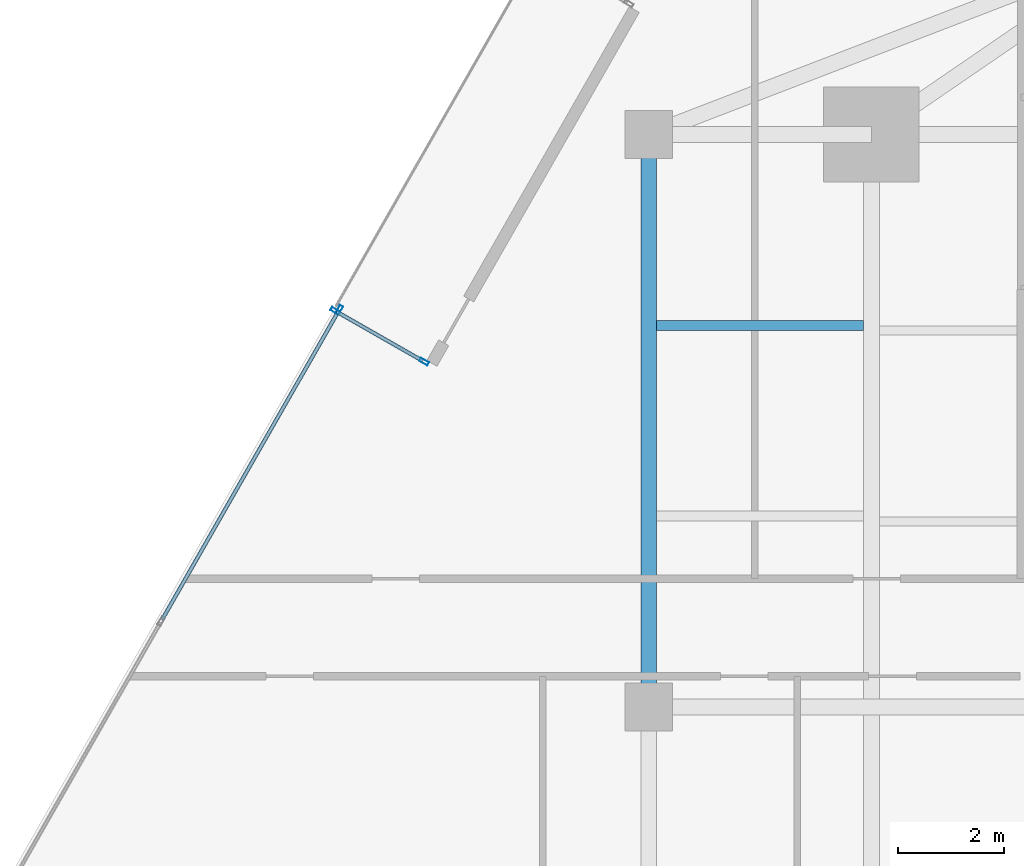
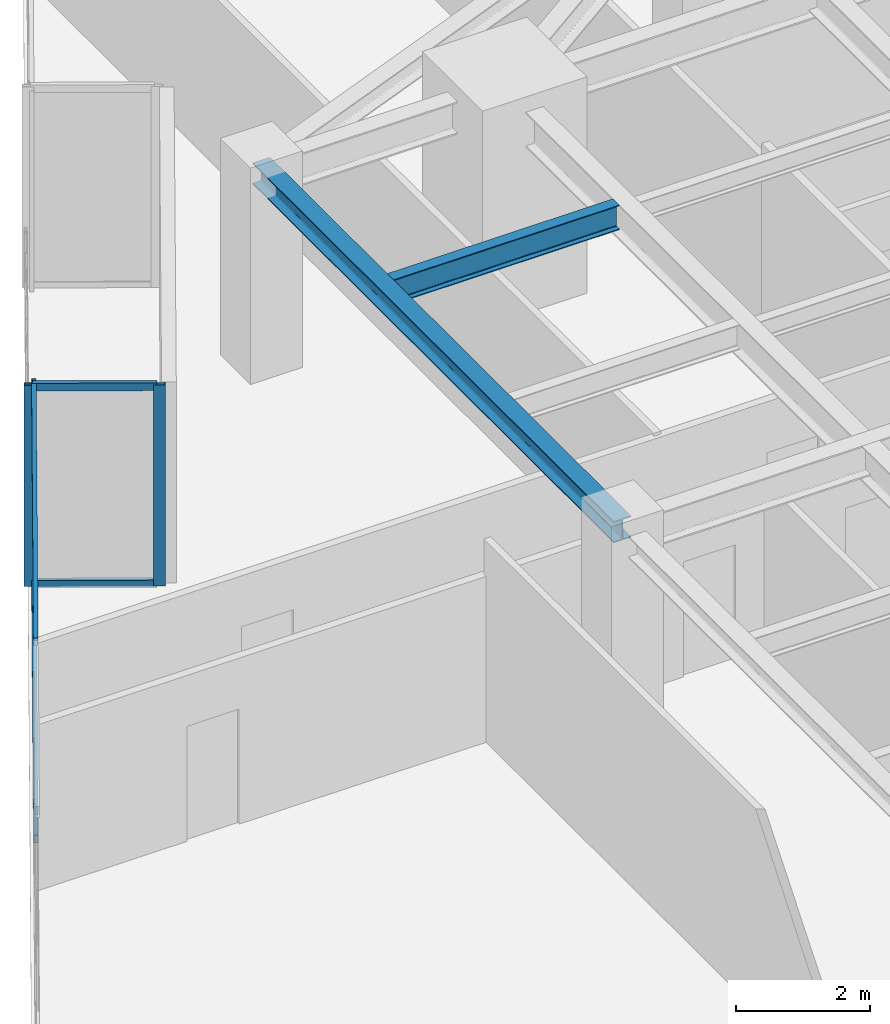
# One storey, part 12 of 24: 7 members, 2 beams, 2 elements without a shape of their own.
"""IFC4 building model written with IfcOpenShell, lengths in metres."""

from ifc_helpers import new_model, si_unit, direction, frame, origin, origin_2d, place, context, subcontext, project, spatial, hollow_rectangle, i_section, extrude, source, transform, mapped, material, material_profile, profile_set, type_object, type_shapes, element, aggregate, save


model = new_model("IFC4")

# Units and contexts
model_context = context("Model", 3, precision=1e-05, world=origin(), true_north=direction((0.0, 1.0)))
body_context = subcontext(model_context, "Body", "Model", "MODEL_VIEW")
ifc_project = project(units=[si_unit("LENGTHUNIT", "METRE"), si_unit("AREAUNIT", "SQUARE_METRE"), si_unit("VOLUMEUNIT", "CUBIC_METRE"), si_unit("PLANEANGLEUNIT", "RADIAN"), si_unit("MASSUNIT", "GRAM", prefix="KILO")], contexts=[model_context])

# Site, building, storey
site_placement = place(None, origin())
site = spatial("IfcSite", under=ifc_project, at=site_placement, CompositionType="ELEMENT")
building_placement = place(site_placement, origin())
building = spatial("IfcBuilding", under=site, at=building_placement, Name="Krantzveldt Concourse Tower", CompositionType="ELEMENT")
storey_placement = place(building_placement, frame((0.0, 0.0, 169.89990234375)))
storey = spatial("IfcBuildingStorey", under=building, at=storey_placement, Name="L41", CompositionType="ELEMENT", Elevation=169.89990234375)

# Beams
ifc_material_1 = material(Name="Steel S355JR", Category="steel")
ifc_material_profile_1 = material_profile(ifc_material_1, i_section(OverallWidth=0.300048828125, OverallDepth=0.389892578125, WebThickness=0.010986328125, FlangeThickness=0.01904296875, FilletRadius=0.027099609375, at=origin_2d()), Name="Steel S355JR", Category="steel")
ifc_profile_set_1 = profile_set([ifc_material_profile_1], Name="Steel S355JR - HEA 400")
beam_type_1 = type_object("IfcBeamType", Name="BM-SP-HEA400", PredefinedType="SPANDREL", material=ifc_profile_set_1)
shared_shape_1 = source(origin(), body_context, "Body", "SweptSolid", [
    extrude(i_section(OverallWidth=0.300048828125, OverallDepth=0.389892578125, WebThickness=0.010986328125, FlangeThickness=0.01904296875, FilletRadius=0.027099609375, at=origin_2d()), origin(), (0.0, 0.0, 1.0), 10.800048828125),
])
type_shapes(beam_type_1, [shared_shape_1])
beam_1_placement = place(storey_placement, frame((21.0, 26.699951171875, 3.47509765625), z_axis=(0.0, 1.0, 0.0), x_axis=(-1.0, 0.0, 0.0)))
element("IfcBeam", 1, at=beam_1_placement, inside=storey, type_object=beam_type_1, Name="L41 Tower Girder SP-R02", PredefinedType="SPANDREL", context=body_context, shape_type="MappedRepresentation", body=[
    mapped(shared_shape_1, transform((0.0, 0.0, 0.0), x_axis=(1.0, 0.0, 0.0), y_axis=(0.0, 1.0, 0.0), z_axis=(0.0, 0.0, 1.0), scale=1.0)),
])
ifc_material_profile_2 = material_profile(ifc_material_1, i_section(OverallWidth=0.18994140625, OverallDepth=0.449951171875, WebThickness=0.009521484375, FlangeThickness=0.0146484375, FilletRadius=0.02099609375, at=origin_2d()), Name="Steel S355JR", Category="steel")
ifc_profile_set_2 = profile_set([ifc_material_profile_2], Name="Steel S355JR - IPE 450")
beam_type_2 = type_object("IfcBeamType", Name="BM-J-IPE450", PredefinedType="JOIST", material=ifc_profile_set_2)
shared_shape_2 = source(origin(), body_context, "Body", "SweptSolid", [
    extrude(i_section(OverallWidth=0.18994140625, OverallDepth=0.449951171875, WebThickness=0.009521484375, FlangeThickness=0.0146484375, FilletRadius=0.02099609375, at=origin_2d()), origin(), (0.0, 0.0, 1.0), 3.900146484375),
])
type_shapes(beam_type_2, [shared_shape_2])
beam_2_placement = place(storey_placement, frame((21.14990234375, 33.89990234375, 3.445068359375), z_axis=(1.0, 0.0, 0.0), x_axis=(0.0, 1.0, 0.0)))
element("IfcBeam", 2, at=beam_2_placement, inside=storey, type_object=beam_type_2, Name="L41 Secondary Floor Joist JW-4", PredefinedType="JOIST", context=body_context, shape_type="MappedRepresentation", body=[
    mapped(shared_shape_2, transform((0.0, 0.0, 0.0), x_axis=(1.0, 0.0, 0.0), y_axis=(0.0, 1.0, 0.0), z_axis=(0.0, 0.0, 1.0), scale=1.0)),
])

# Curtain wall, members
ifc_material_2 = material(Name="Anodised aluminium 6063-T6", Category="aluminium")
curtain_wall_type_1 = type_object("IfcCurtainWallType", Name="CW6", PredefinedType="USERDEFINED", material=ifc_material_2)
curtain_wall_1_placement = place(storey_placement, origin())
curtain_wall_1 = element("IfcCurtainWall", 3, at=curtain_wall_1_placement, inside=storey, type_object=curtain_wall_type_1, Name="CW-L41-TR04", ObjectType="UNITISED CURTAIN WALL", PredefinedType="USERDEFINED")
ifc_material_profile_3 = material_profile(ifc_material_2, hollow_rectangle(XDim=0.070068359375, YDim=0.179931640625, WallThickness=0.0048828125, at=origin_2d()), Name="Anodised aluminium 6063-T6", Category="aluminium")
ifc_profile_set_3 = profile_set([ifc_material_profile_3], Name="Anodised aluminium 6063-T6 - ALU-MULL 180x70x5")
member_type_1 = type_object("IfcMemberType", Name="CW-MUL-180", PredefinedType="MULLION", material=ifc_profile_set_3)
shared_shape_3 = source(origin(), body_context, "Body", "SweptSolid", [
    extrude(hollow_rectangle(XDim=0.070068359375, YDim=0.179931640625, WallThickness=0.0048828125, at=origin_2d()), origin(), (0.0, 0.0, 1.0), 3.670166015625),
])
type_shapes(member_type_1, [shared_shape_3])
member_1_placement = place(storey_placement, frame((16.76220703125, 33.21484375, 0.0), z_axis=(0.0, 0.0, 1.0), x_axis=(-0.496218628357, -0.86819760013, 0.0)))
member_1 = element("IfcMember", 4, at=member_1_placement, type_object=member_type_1, Name="CW-TERR mullion 1", PredefinedType="MULLION", context=body_context, shape_type="MappedRepresentation", body=[
    mapped(shared_shape_3, transform((0.0, 0.0, 0.0), x_axis=(1.0, 0.0, 0.0), y_axis=(0.0, 1.0, 0.0), z_axis=(0.0, 0.0, 1.0), scale=1.0)),
])
member_2_placement = place(storey_placement, frame((15.08642578125, 34.17236328125, 0.0), z_axis=(0.0, 0.0, 1.0), x_axis=(-0.496218628357, -0.86819760013, 0.0)))
member_2 = element("IfcMember", 5, at=member_2_placement, type_object=member_type_1, Name="CW-TERR mullion 2", PredefinedType="MULLION", context=body_context, shape_type="MappedRepresentation", body=[
    mapped(shared_shape_3, transform((0.0, 0.0, 0.0), x_axis=(1.0, 0.0, 0.0), y_axis=(0.0, 1.0, 0.0), z_axis=(0.0, 0.0, 1.0), scale=1.0)),
])

# Curtain wall, member
curtain_wall_type_2 = type_object("IfcCurtainWallType", Name="CW3", PredefinedType="USERDEFINED", material=ifc_material_2)
curtain_wall_2_placement = place(storey_placement, origin())
curtain_wall_2 = element("IfcCurtainWall", 6, at=curtain_wall_2_placement, inside=storey, type_object=curtain_wall_type_2, Name="CW-L41-F05", ObjectType="UNITISED CURTAIN WALL", PredefinedType="USERDEFINED")
member_3_placement = place(storey_placement, frame((15.16162109375, 34.19287109375, 0.0), z_axis=(0.0, 0.0, 1.0), x_axis=(0.868199066314, -0.496216063073, 0.0)))
member_3 = element("IfcMember", 7, at=member_3_placement, type_object=member_type_1, Name="CW-Z34 mullion 1", PredefinedType="MULLION", context=body_context, shape_type="MappedRepresentation", body=[
    mapped(shared_shape_3, transform((0.0, 0.0, 0.0), x_axis=(1.0, 0.0, 0.0), y_axis=(0.0, 1.0, 0.0), z_axis=(0.0, 0.0, 1.0), scale=1.0)),
])

# Member
ifc_material_profile_4 = material_profile(ifc_material_2, hollow_rectangle(XDim=0.070068359375, YDim=0.139892578125, WallThickness=0.0048828125, at=origin_2d()), Name="Anodised aluminium 6063-T6", Category="aluminium")
ifc_profile_set_4 = profile_set([ifc_material_profile_4], Name="Anodised aluminium 6063-T6 - ALU-TRAN 140x70x5")
member_type_2 = type_object("IfcMemberType", Name="CW-TRN-150", PredefinedType="USERDEFINED", material=ifc_profile_set_4)
shared_shape_4 = source(origin(), body_context, "Body", "SweptSolid", [
    extrude(hollow_rectangle(XDim=0.070068359375, YDim=0.139892578125, WallThickness=0.0048828125, at=origin_2d()), origin(), (0.0, 0.0, 1.0), 1.85986328125),
])
member_4_placement = place(storey_placement, frame((16.731689453125, 33.232177734375, 0.03515625), z_axis=(-0.868210828001, 0.496195483799, 0.0), x_axis=(-0.496195483799, -0.868210828001, 0.0)))
member_4 = element("IfcMember", 8, at=member_4_placement, type_object=member_type_2, Name="CW-TERR transom 1.1", ObjectType="TRANSOM", PredefinedType="USERDEFINED", context=body_context, shape_type="MappedRepresentation", body=[
    mapped(shared_shape_4, transform((0.0, 0.0, 0.0), x_axis=(1.0, 0.0, 0.0), y_axis=(0.0, 1.0, 0.0), z_axis=(0.0, 0.0, 1.0), scale=1.0)),
])

member_5_placement = place(storey_placement, frame((16.731689453125, 33.232177734375, 3.635009765625), z_axis=(-0.868210828001, 0.496195483799, 0.0), x_axis=(-0.496195483799, -0.868210828001, 0.0)))
member_5 = element("IfcMember", 9, at=member_5_placement, type_object=member_type_2, Name="CW-TERR transom 1.2", ObjectType="TRANSOM", PredefinedType="USERDEFINED", context=body_context, shape_type="MappedRepresentation", body=[
    mapped(shared_shape_4, transform((0.0, 0.0, 0.0), x_axis=(1.0, 0.0, 0.0), y_axis=(0.0, 1.0, 0.0), z_axis=(0.0, 0.0, 1.0), scale=1.0)),
])

aggregate(curtain_wall_1, [member_1, member_2, member_4, member_5])

shared_shape_5 = source(origin(), body_context, "Body", "SweptSolid", [
    extrude(hollow_rectangle(XDim=0.070068359375, YDim=0.139892578125, WallThickness=0.0048828125, at=origin_2d()), origin(), (0.0, 0.0, 1.0), 6.695068359375),
])
type_shapes(member_type_2, [shared_shape_4, shared_shape_5])
member_6_placement = place(storey_placement, frame((15.144287109375, 34.16259765625, 0.03515625), z_axis=(-0.496217476605, -0.868198258413, 0.0), x_axis=(0.868198258413, -0.496217476605, 0.0)))
member_6 = element("IfcMember", 10, at=member_6_placement, type_object=member_type_2, Name="CW-Z34 transom 1.1", ObjectType="TRANSOM", PredefinedType="USERDEFINED", context=body_context, shape_type="MappedRepresentation", body=[
    mapped(shared_shape_5, transform((0.0, 0.0, 0.0), x_axis=(1.0, 0.0, 0.0), y_axis=(0.0, 1.0, 0.0), z_axis=(0.0, 0.0, 1.0), scale=1.0)),
])

member_7_placement = place(storey_placement, frame((15.144287109375, 34.16259765625, 3.635009765625), z_axis=(-0.496217476605, -0.868198258413, 0.0), x_axis=(0.868198258413, -0.496217476605, 0.0)))
member_7 = element("IfcMember", 11, at=member_7_placement, type_object=member_type_2, Name="CW-Z34 transom 1.2", ObjectType="TRANSOM", PredefinedType="USERDEFINED", context=body_context, shape_type="MappedRepresentation", body=[
    mapped(shared_shape_5, transform((0.0, 0.0, 0.0), x_axis=(1.0, 0.0, 0.0), y_axis=(0.0, 1.0, 0.0), z_axis=(0.0, 0.0, 1.0), scale=1.0)),
])

aggregate(curtain_wall_2, [member_3, member_6, member_7])

save(model, "model.ifc")
